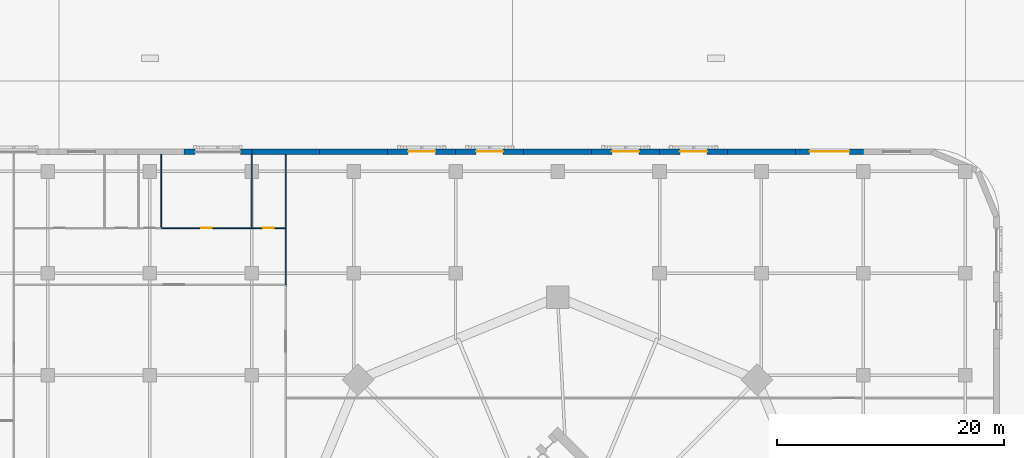
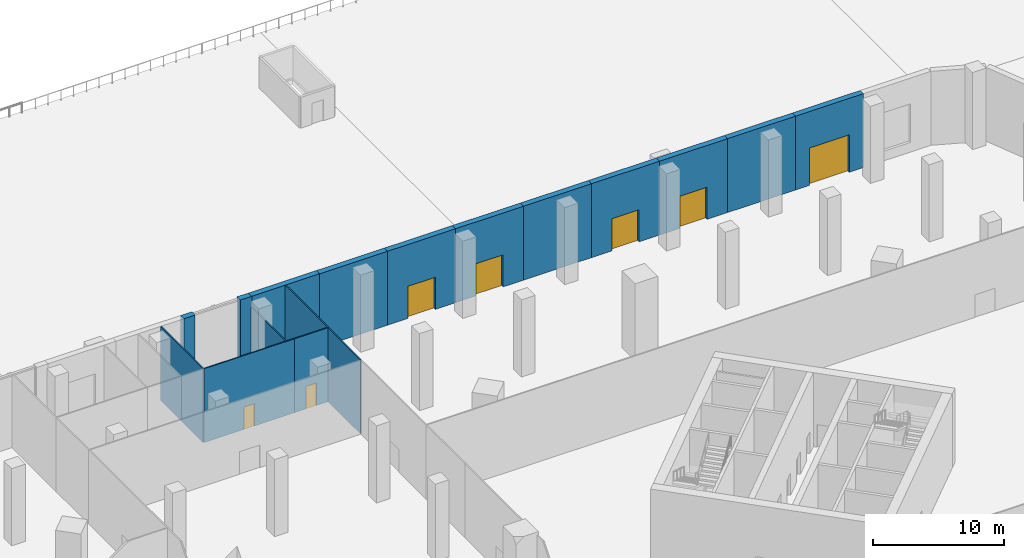
# One storey, part 31 of 48: 17 walls, 7 doors, 7 openings.
"""IFC4 building model written with IfcOpenShell, lengths in metres."""

from ifc_helpers import new_model, si_unit, direction, frame, frame_2d, origin, place, context, subcontext, project, spatial, rectangle, extrude, material, layer, layer_set, type_object, element, fill, save


model = new_model("IFC4")

# Units and contexts
model_context = context("Model", 3, precision=1e-05, world=origin(), true_north=direction((0.0, 1.0)))
body_context = subcontext(model_context, "Body", "Model", "MODEL_VIEW")
ifc_project = project(units=[si_unit("LENGTHUNIT", "METRE"), si_unit("AREAUNIT", "SQUARE_METRE"), si_unit("VOLUMEUNIT", "CUBIC_METRE"), si_unit("PLANEANGLEUNIT", "RADIAN"), si_unit("MASSUNIT", "GRAM", prefix="KILO")], contexts=[model_context])

# Site, building, storey
site_placement = place(None, origin())
site = spatial("IfcSite", under=ifc_project, at=site_placement, CompositionType="ELEMENT")
building_placement = place(site_placement, origin())
building = spatial("IfcBuilding", under=site, at=building_placement, Name="Ogive Gate Towers", CompositionType="ELEMENT")
storey_placement = place(building_placement, origin())
storey = spatial("IfcBuildingStorey", under=building, at=storey_placement, Name="L00", CompositionType="ELEMENT", Elevation=0.0)

# Wall, opening, door
ifc_material_1 = material(Name="Precast concrete C40/50", Category="concrete")
ifc_layer_1 = layer(ifc_material_1, 0.5)
ifc_layer_set_1 = layer_set([ifc_layer_1], Name="Arcade wall 500")
wall_type_1 = type_object("IfcWallType", Name="Arcade wall 500", PredefinedType="SOLIDWALL", material=ifc_layer_set_1)
wall_1_placement = place(storey_placement, frame((63.0, 37.75, 0.0), z_axis=(0.0, 0.0, 1.0), x_axis=(-1.0, 0.0, 0.0)))
wall_1 = element("IfcWall", 1, at=wall_1_placement, inside=storey, type_object=wall_type_1, Name="Podium wall", PredefinedType="SOLIDWALL", context=body_context, shape_type="SweptSolid", body=[
    extrude(rectangle(XDim=6.0, YDim=0.5, at=frame_2d((3.0, 0.0))), origin(), (0.0, 0.0, 1.0), 6.89990234375),
])
opening_1_placement = place(wall_1_placement, frame((1.25, 0.0, 0.0)))
opening_1 = element("IfcOpeningElement", 2, at=opening_1_placement, cuts=wall_1, Name="Opening ED5-L00-01", PredefinedType="OPENING", context=body_context, shape_type="SweptSolid", body=[
    extrude(rectangle(XDim=3.5, YDim=3.5, at=frame_2d((1.75, 1.75))), frame((0.0, 0.260009765625, 0.0), z_axis=(0.0, -1.0, 0.0), x_axis=(1.0, 0.0, 0.0)), (0.0, 0.0, 1.0), 0.52001953125),
])
ifc_material_2 = material(Name="Galvanised steel", Category="steel")
door_type_1 = type_object("IfcDoorType", Name="Loading door 3500 x 3500", OperationType="ROLLINGUP", PredefinedType="DOOR", material=ifc_material_2)
door_1_placement = place(opening_1_placement, origin())
door_1 = element("IfcDoor", 3, at=door_1_placement, inside=storey, type_object=door_type_1, Name="Exterior door", OperationType="SINGLE_SWING_LEFT", OverallHeight=3.5, OverallWidth=3.5, PredefinedType="DOOR", context=body_context, shape_type="SweptSolid", body=[
    extrude(rectangle(XDim=3.5, YDim=3.5, at=frame_2d((1.75, 1.75))), frame((0.0, 0.02490234375, 0.0), z_axis=(0.0, -1.0, 0.0), x_axis=(1.0, 0.0, 0.0)), (0.0, 0.0, 1.0), 0.050048828125),
])
fill(opening_1, door_1)

# Wall
wall_2_placement = place(storey_placement, frame((57.0, 37.75, 0.0), z_axis=(0.0, 0.0, 1.0), x_axis=(-1.0, 0.0, 0.0)))
element("IfcWall", 4, at=wall_2_placement, inside=storey, type_object=wall_type_1, Name="Podium wall", PredefinedType="SOLIDWALL", context=body_context, shape_type="SweptSolid", body=[
    extrude(rectangle(XDim=6.0, YDim=0.5, at=frame_2d((3.0, 0.0))), origin(), (0.0, 0.0, 1.0), 6.89990234375),
])

# Wall, opening, door
wall_3_placement = place(storey_placement, frame((51.0, 37.75, 0.0), z_axis=(0.0, 0.0, 1.0), x_axis=(-1.0, 0.0, 0.0)))
wall_3 = element("IfcWall", 5, at=wall_3_placement, inside=storey, type_object=wall_type_1, Name="Podium wall", PredefinedType="SOLIDWALL", context=body_context, shape_type="SweptSolid", body=[
    extrude(rectangle(XDim=6.0, YDim=0.5, at=frame_2d((3.0, 0.0))), origin(), (0.0, 0.0, 1.0), 6.89990234375),
])
opening_2_placement = place(wall_3_placement, frame((1.800048828125, 0.0, 0.0)))
opening_2 = element("IfcOpeningElement", 6, at=opening_2_placement, cuts=wall_3, Name="Opening ED2-L00-03", PredefinedType="OPENING", context=body_context, shape_type="SweptSolid", body=[
    extrude(rectangle(XDim=2.39990234375, YDim=3.0, at=frame_2d((1.199951171875, 1.5))), frame((0.0, 0.260009765625, 0.0), z_axis=(0.0, -1.0, 0.0), x_axis=(1.0, 0.0, 0.0)), (0.0, 0.0, 1.0), 0.52001953125),
])
ifc_material_3 = material(Name="Pale metal aluminium", Category="aluminium")
door_type_2 = type_object("IfcDoorType", Name="Entrance door 2400 x 3000", OperationType="DOUBLE_DOOR_SINGLE_SWING", PredefinedType="DOOR", material=ifc_material_3)
door_2_placement = place(opening_2_placement, origin())
door_2 = element("IfcDoor", 7, at=door_2_placement, inside=storey, type_object=door_type_2, Name="Exterior door", OperationType="SINGLE_SWING_LEFT", OverallHeight=3.0, OverallWidth=2.39990234375, PredefinedType="DOOR", context=body_context, shape_type="SweptSolid", body=[
    extrude(rectangle(XDim=2.39990234375, YDim=3.0, at=frame_2d((1.199951171875, 1.5))), frame((0.0, 0.02490234375, 0.0), z_axis=(0.0, -1.0, 0.0), x_axis=(1.0, 0.0, 0.0)), (0.0, 0.0, 1.0), 0.050048828125),
])
fill(opening_2, door_2)

wall_4_placement = place(storey_placement, frame((45.0, 37.75, 0.0), z_axis=(0.0, 0.0, 1.0), x_axis=(-1.0, 0.0, 0.0)))
wall_4 = element("IfcWall", 8, at=wall_4_placement, inside=storey, type_object=wall_type_1, Name="Podium wall", PredefinedType="SOLIDWALL", context=body_context, shape_type="SweptSolid", body=[
    extrude(rectangle(XDim=6.0, YDim=0.5, at=frame_2d((3.0, 0.0))), origin(), (0.0, 0.0, 1.0), 6.89990234375),
])
opening_3_placement = place(wall_4_placement, frame((1.800048828125, 0.0, 0.0)))
opening_3 = element("IfcOpeningElement", 9, at=opening_3_placement, cuts=wall_4, Name="Opening ED2-L00-04", PredefinedType="OPENING", context=body_context, shape_type="SweptSolid", body=[
    extrude(rectangle(XDim=2.39990234375, YDim=3.0, at=frame_2d((1.199951171875, 1.5))), frame((0.0, 0.260009765625, 0.0), z_axis=(0.0, -1.0, 0.0), x_axis=(1.0, 0.0, 0.0)), (0.0, 0.0, 1.0), 0.52001953125),
])
door_3_placement = place(opening_3_placement, origin())
door_3 = element("IfcDoor", 10, at=door_3_placement, inside=storey, type_object=door_type_2, Name="Exterior door", OperationType="SINGLE_SWING_LEFT", OverallHeight=3.0, OverallWidth=2.39990234375, PredefinedType="DOOR", context=body_context, shape_type="SweptSolid", body=[
    extrude(rectangle(XDim=2.39990234375, YDim=3.0, at=frame_2d((1.199951171875, 1.5))), frame((0.0, 0.02490234375, 0.0), z_axis=(0.0, -1.0, 0.0), x_axis=(1.0, 0.0, 0.0)), (0.0, 0.0, 1.0), 0.050048828125),
])
fill(opening_3, door_3)

# Wall
wall_5_placement = place(storey_placement, frame((39.0, 37.75, 0.0), z_axis=(0.0, 0.0, 1.0), x_axis=(-1.0, 0.0, 0.0)))
element("IfcWall", 11, at=wall_5_placement, inside=storey, type_object=wall_type_1, Name="Podium wall", PredefinedType="SOLIDWALL", context=body_context, shape_type="SweptSolid", body=[
    extrude(rectangle(XDim=6.0, YDim=0.5, at=frame_2d((3.0, 0.0))), origin(), (0.0, 0.0, 1.0), 6.89990234375),
])

# Wall, opening, door
wall_6_placement = place(storey_placement, frame((33.0, 37.75, 0.0), z_axis=(0.0, 0.0, 1.0), x_axis=(-1.0, 0.0, 0.0)))
wall_6 = element("IfcWall", 12, at=wall_6_placement, inside=storey, type_object=wall_type_1, Name="Podium wall", PredefinedType="SOLIDWALL", context=body_context, shape_type="SweptSolid", body=[
    extrude(rectangle(XDim=6.0, YDim=0.5, at=frame_2d((3.0, 0.0))), origin(), (0.0, 0.0, 1.0), 6.89990234375),
])
opening_4_placement = place(wall_6_placement, frame((1.800048828125, 0.0, 0.0)))
opening_4 = element("IfcOpeningElement", 13, at=opening_4_placement, cuts=wall_6, Name="Opening ED2-L00-05", PredefinedType="OPENING", context=body_context, shape_type="SweptSolid", body=[
    extrude(rectangle(XDim=2.39990234375, YDim=3.0, at=frame_2d((1.199951171875, 1.5))), frame((0.0, 0.260009765625, 0.0), z_axis=(0.0, -1.0, 0.0), x_axis=(1.0, 0.0, 0.0)), (0.0, 0.0, 1.0), 0.52001953125),
])
door_4_placement = place(opening_4_placement, origin())
door_4 = element("IfcDoor", 14, at=door_4_placement, inside=storey, type_object=door_type_2, Name="Exterior door", OperationType="SINGLE_SWING_LEFT", OverallHeight=3.0, OverallWidth=2.39990234375, PredefinedType="DOOR", context=body_context, shape_type="SweptSolid", body=[
    extrude(rectangle(XDim=2.39990234375, YDim=3.0, at=frame_2d((1.199951171875, 1.5))), frame((0.0, 0.02490234375, 0.0), z_axis=(0.0, -1.0, 0.0), x_axis=(1.0, 0.0, 0.0)), (0.0, 0.0, 1.0), 0.050048828125),
])
fill(opening_4, door_4)

wall_7_placement = place(storey_placement, frame((27.0, 37.75, 0.0), z_axis=(0.0, 0.0, 1.0), x_axis=(-1.0, 0.0, 0.0)))
wall_7 = element("IfcWall", 15, at=wall_7_placement, inside=storey, type_object=wall_type_1, Name="Podium wall", PredefinedType="SOLIDWALL", context=body_context, shape_type="SweptSolid", body=[
    extrude(rectangle(XDim=6.0, YDim=0.5, at=frame_2d((3.0, 0.0))), origin(), (0.0, 0.0, 1.0), 6.89990234375),
])
opening_5_placement = place(wall_7_placement, frame((1.800048828125, 0.0, 0.0)))
opening_5 = element("IfcOpeningElement", 16, at=opening_5_placement, cuts=wall_7, Name="Opening ED2-L00-06", PredefinedType="OPENING", context=body_context, shape_type="SweptSolid", body=[
    extrude(rectangle(XDim=2.39990234375, YDim=3.0, at=frame_2d((1.199951171875, 1.5))), frame((0.0, 0.260009765625, 0.0), z_axis=(0.0, -1.0, 0.0), x_axis=(1.0, 0.0, 0.0)), (0.0, 0.0, 1.0), 0.52001953125),
])
door_5_placement = place(opening_5_placement, origin())
door_5 = element("IfcDoor", 17, at=door_5_placement, inside=storey, type_object=door_type_2, Name="Exterior door", OperationType="SINGLE_SWING_LEFT", OverallHeight=3.0, OverallWidth=2.39990234375, PredefinedType="DOOR", context=body_context, shape_type="SweptSolid", body=[
    extrude(rectangle(XDim=2.39990234375, YDim=3.0, at=frame_2d((1.199951171875, 1.5))), frame((0.0, 0.02490234375, 0.0), z_axis=(0.0, -1.0, 0.0), x_axis=(1.0, 0.0, 0.0)), (0.0, 0.0, 1.0), 0.050048828125),
])
fill(opening_5, door_5)

# Walls
for number, where, z_axis, x_axis, name in (
    (18, (21.0, 37.75, 0.0), (0.0, 0.0, 1.0), (-1.0, 0.0, 0.0), "Podium wall"),
    (19, (15.0, 37.75, 0.0), (0.0, 0.0, 1.0), (-1.0, 0.0, 0.0), "Podium wall"),
):
    element("IfcWall", number, at=place(storey_placement, frame(where, z_axis=z_axis, x_axis=x_axis)), inside=storey, type_object=wall_type_1, Name=name, PredefinedType="SOLIDWALL", context=body_context, shape_type="SweptSolid", body=[
        extrude(rectangle(XDim=6.0, YDim=0.5, at=frame_2d((3.0, 0.0))), origin(), (0.0, 0.0, 1.0), 6.89990234375),
    ])
for number, where, z_axis, x_axis, name in (
    (20, (9.0, 37.75, 0.0), (0.0, 0.0, 1.0), (-1.0, 0.0, 0.0), "Podium wall"),
    (21, (4.0, 37.75, 0.0), (0.0, 0.0, 1.0), (-1.0, 0.0, 0.0), "Podium wall"),
):
    element("IfcWall", number, at=place(storey_placement, frame(where, z_axis=z_axis, x_axis=x_axis)), inside=storey, type_object=wall_type_1, Name=name, PredefinedType="SOLIDWALL", context=body_context, shape_type="SweptSolid", body=[
        extrude(rectangle(XDim=1.0, YDim=0.5, at=frame_2d((0.5, 0.0))), origin(), (0.0, 0.0, 1.0), 6.89990234375),
    ])
ifc_material_4 = material(Name="Gypsum board partition")
ifc_layer_2 = layer(ifc_material_4, 0.10009765625)
ifc_layer_set_2 = layer_set([ifc_layer_2], Name="Partition wall 100")
wall_type_2 = type_object("IfcWallType", Name="Partition wall 100", PredefinedType="PARTITIONING", material=ifc_layer_set_2)
wall_8_placement = place(storey_placement, frame((12.0, 26.0, 0.0), z_axis=(0.0, 0.0, 1.0), x_axis=(0.0, 1.0, 0.0)))
element("IfcWall", 22, at=wall_8_placement, inside=storey, type_object=wall_type_2, Name="L00 partition 057", PredefinedType="PARTITIONING", context=body_context, shape_type="SweptSolid", body=[
    extrude(rectangle(XDim=5.0, YDim=0.10009765625, at=frame_2d((2.5, 0.0))), origin(), (0.0, 0.0, 1.0), 6.89990234375),
])
wall_9_placement = place(storey_placement, frame((12.0, 31.0, 0.0), z_axis=(0.0, 0.0, 1.0), x_axis=(0.0, 1.0, 0.0)))
element("IfcWall", 23, at=wall_9_placement, inside=storey, type_object=wall_type_2, Name="L00 partition 058", PredefinedType="PARTITIONING", context=body_context, shape_type="SweptSolid", body=[
    extrude(rectangle(XDim=6.5, YDim=0.10009765625, at=frame_2d((3.25, 0.0))), origin(), (0.0, 0.0, 1.0), 6.89990234375),
])

# Wall, opening, door
wall_10_placement = place(storey_placement, frame((1.0, 31.0, 0.0), z_axis=(0.0, 0.0, 1.0), x_axis=(1.0, 0.0, 0.0)))
wall_10 = element("IfcWall", 24, at=wall_10_placement, inside=storey, type_object=wall_type_2, Name="L00 partition 068", PredefinedType="PARTITIONING", context=body_context, shape_type="SweptSolid", body=[
    extrude(rectangle(XDim=8.0, YDim=0.10009765625, at=frame_2d((4.0, 0.0))), origin(), (0.0, 0.0, 1.0), 6.89990234375),
])
opening_6_placement = place(wall_10_placement, frame((3.550048828125, 0.0, 0.0)))
opening_6 = element("IfcOpeningElement", 25, at=opening_6_placement, cuts=wall_10, Name="Opening PO126", PredefinedType="OPENING", context=body_context, shape_type="SweptSolid", body=[
    extrude(rectangle(XDim=0.89990234375, YDim=2.10009765625, at=frame_2d((0.449951171875, 1.050048828125))), frame((0.0, 0.06005859375, 0.0), z_axis=(0.0, -1.0, 0.0), x_axis=(1.0, 0.0, 0.0)), (0.0, 0.0, 1.0), 0.1201171875),
])
ifc_material_5 = material(Name="Timber door", Category="wood")
door_type_3 = type_object("IfcDoorType", Name="Door 900 x 2100", OperationType="NOTDEFINED", PredefinedType="DOOR", material=ifc_material_5)
door_6_placement = place(opening_6_placement, origin())
door_6 = element("IfcDoor", 26, at=door_6_placement, inside=storey, type_object=door_type_3, Name="Door PO126", OperationType="SINGLE_SWING_RIGHT", OverallHeight=2.10009765625, OverallWidth=0.89990234375, PredefinedType="DOOR", context=body_context, shape_type="SweptSolid", body=[
    extrude(rectangle(XDim=0.89990234375, YDim=2.10009765625, at=frame_2d((0.449951171875, 1.050048828125))), frame((0.0, 0.02490234375, 0.0), z_axis=(0.0, -1.0, 0.0), x_axis=(1.0, 0.0, 0.0)), (0.0, 0.0, 1.0), 0.050048828125),
])
fill(opening_6, door_6)

wall_11_placement = place(storey_placement, frame((9.0, 31.0, 0.0), z_axis=(0.0, 0.0, 1.0), x_axis=(1.0, 0.0, 0.0)))
wall_11 = element("IfcWall", 27, at=wall_11_placement, inside=storey, type_object=wall_type_2, Name="L00 partition 069", PredefinedType="PARTITIONING", context=body_context, shape_type="SweptSolid", body=[
    extrude(rectangle(XDim=2.949951171875, YDim=0.10009765625, at=frame_2d((1.47509765625, 0.0))), origin(), (0.0, 0.0, 1.0), 6.89990234375),
])
opening_7_placement = place(wall_11_placement, frame((1.02490234375, 0.0, 0.0)))
opening_7 = element("IfcOpeningElement", 28, at=opening_7_placement, cuts=wall_11, Name="Opening PO127", PredefinedType="OPENING", context=body_context, shape_type="SweptSolid", body=[
    extrude(rectangle(XDim=0.89990234375, YDim=2.10009765625, at=frame_2d((0.449951171875, 1.050048828125))), frame((0.0, 0.06005859375, 0.0), z_axis=(0.0, -1.0, 0.0), x_axis=(1.0, 0.0, 0.0)), (0.0, 0.0, 1.0), 0.1201171875),
])
door_7_placement = place(opening_7_placement, origin())
door_7 = element("IfcDoor", 29, at=door_7_placement, inside=storey, type_object=door_type_3, Name="Door PO127", OperationType="SINGLE_SWING_LEFT", OverallHeight=2.10009765625, OverallWidth=0.89990234375, PredefinedType="DOOR", context=body_context, shape_type="SweptSolid", body=[
    extrude(rectangle(XDim=0.89990234375, YDim=2.10009765625, at=frame_2d((0.449951171875, 1.050048828125))), frame((0.0, 0.02490234375, 0.0), z_axis=(0.0, -1.0, 0.0), x_axis=(1.0, 0.0, 0.0)), (0.0, 0.0, 1.0), 0.050048828125),
])
fill(opening_7, door_7)

# Walls
wall_12_placement = place(storey_placement, frame((1.0, 31.050048828125, 0.0), z_axis=(0.0, 0.0, 1.0), x_axis=(0.0, 1.0, 0.0)))
element("IfcWall", 30, at=wall_12_placement, inside=storey, type_object=wall_type_2, Name="L00 partition 072", PredefinedType="PARTITIONING", context=body_context, shape_type="SweptSolid", body=[
    extrude(rectangle(XDim=6.449951171875, YDim=0.10009765625, at=frame_2d((3.22509765625, 0.0))), origin(), (0.0, 0.0, 1.0), 6.89990234375),
])
wall_13_placement = place(storey_placement, frame((9.0, 31.050048828125, 0.0), z_axis=(0.0, 0.0, 1.0), x_axis=(0.0, 1.0, 0.0)))
element("IfcWall", 31, at=wall_13_placement, inside=storey, type_object=wall_type_2, Name="L00 partition 073", PredefinedType="PARTITIONING", context=body_context, shape_type="SweptSolid", body=[
    extrude(rectangle(XDim=6.449951171875, YDim=0.10009765625, at=frame_2d((3.22509765625, 0.0))), origin(), (0.0, 0.0, 1.0), 5.909912109375),
])

save(model, "model.ifc")
